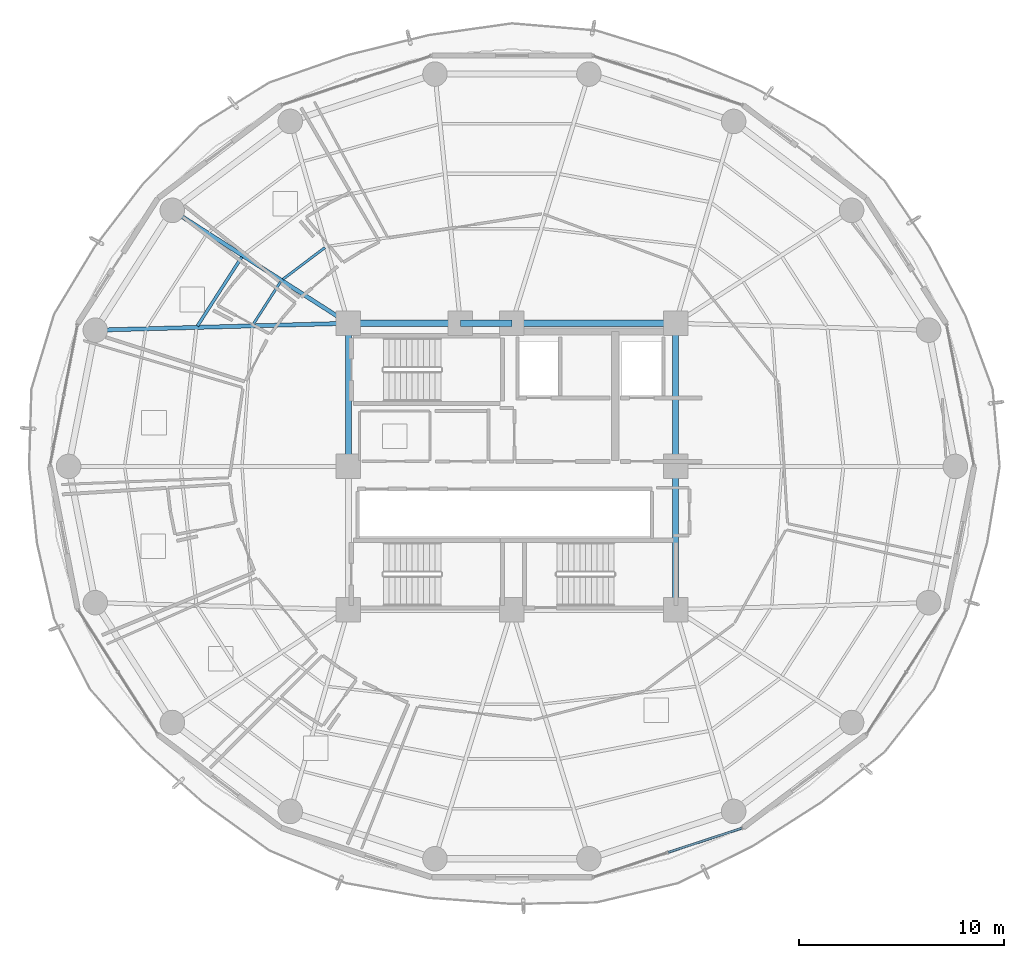
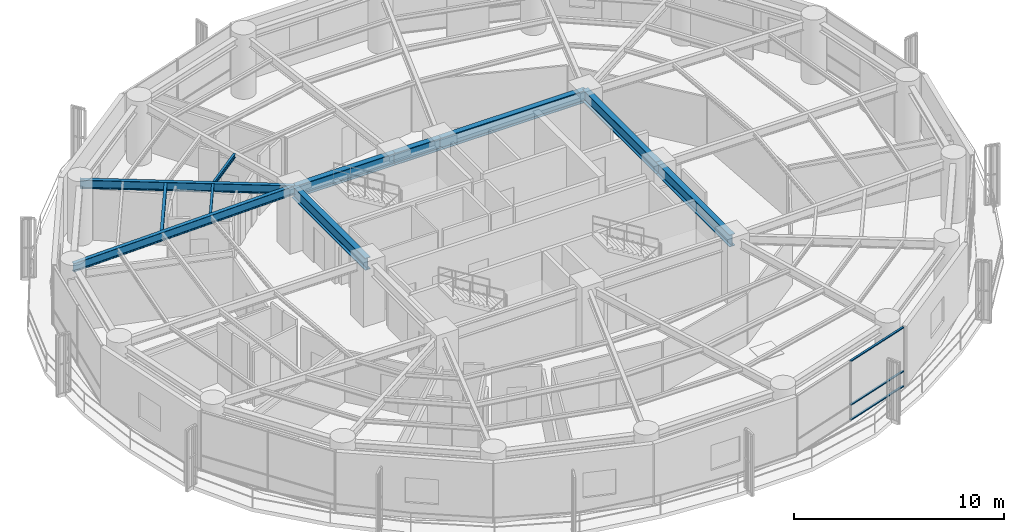
# One storey, part 9 of 27: 11 beams, 3 members, 1 element without a shape of its own.
"""IFC4 building model written with IfcOpenShell, lengths in metres."""

from ifc_helpers import new_model, si_unit, direction, frame, origin, origin_2d, place, context, subcontext, project, spatial, hollow_rectangle, i_section, extrude, material, layer, layer_set, material_profile, profile_set, type_object, element, aggregate, save


model = new_model("IFC4")

# Units and contexts
model_context = context("Model", 3, precision=1e-05, world=origin(), true_north=direction((0.0, 1.0)))
body_context = subcontext(model_context, "Body", "Model", "MODEL_VIEW")
ifc_project = project(units=[si_unit("LENGTHUNIT", "METRE"), si_unit("AREAUNIT", "SQUARE_METRE"), si_unit("VOLUMEUNIT", "CUBIC_METRE"), si_unit("PLANEANGLEUNIT", "RADIAN"), si_unit("MASSUNIT", "GRAM", prefix="KILO")], contexts=[model_context])

# Site, building, storey
site_placement = place(None, origin())
site = spatial("IfcSite", under=ifc_project, at=site_placement, CompositionType="ELEMENT")
building_placement = place(site_placement, origin())
building = spatial("IfcBuilding", under=site, at=building_placement, Name="Kelanora Arch Commons", CompositionType="ELEMENT")
storey_placement = place(building_placement, frame((0.0, 0.0, 150.60009765625)))
storey = spatial("IfcBuildingStorey", under=building, at=storey_placement, Name="L38", CompositionType="ELEMENT", Elevation=150.60009765625)

# Beams
ifc_material_1 = material(Name="Steel S355", Category="steel")
ifc_material_profile_1 = material_profile(ifc_material_1, i_section(OverallWidth=0.300048828125, OverallDepth=0.699951171875, WebThickness=0.01708984375, FlangeThickness=0.031982421875, FilletRadius=0.027099609375, at=origin_2d()), Name="HEB700")
ifc_profile_set_1 = profile_set([ifc_material_profile_1], Name="Steel S355")
beam_type_1 = type_object("IfcBeamType", Name="BM-CORE-HDR", PredefinedType="BEAM", material=ifc_profile_set_1)
for number, where, z_axis, x_axis, name in (
    (1, (82.0, 51.0, 3.139892578125), (0.0, 1.0, 0.0), (-1.0, 0.0, 0.0), "Core Header Beam 03 L38"),
    (2, (82.0, 58.0, 3.139892578125), (0.0, 1.0, 0.0), (-1.0, 0.0, 0.0), "Core Header Beam 04 L38"),
):
    element("IfcBeam", number, at=place(storey_placement, frame(where, z_axis=z_axis, x_axis=x_axis)), inside=storey, type_object=beam_type_1, Name=name, PredefinedType="BEAM", context=body_context, shape_type="SweptSolid", body=[
        extrude(i_section(OverallWidth=0.300048828125, OverallDepth=0.699951171875, WebThickness=0.01708984375, FlangeThickness=0.031982421875, FilletRadius=0.027099609375, at=origin_2d()), origin(), (0.0, 0.0, 1.0), 7.0),
    ])
beam_1_placement = place(storey_placement, frame((82.0, 65.0, 3.139892578125), z_axis=(-1.0, 0.0, 0.0), x_axis=(0.0, -1.0, 0.0)))
element("IfcBeam", 3, at=beam_1_placement, inside=storey, type_object=beam_type_1, Name="Core Header Beam 05 L38", PredefinedType="BEAM", context=body_context, shape_type="SweptSolid", body=[
    extrude(i_section(OverallWidth=0.300048828125, OverallDepth=0.699951171875, WebThickness=0.01708984375, FlangeThickness=0.031982421875, FilletRadius=0.027099609375, at=origin_2d()), origin(), (0.0, 0.0, 1.0), 8.0),
])
beam_2_placement = place(storey_placement, frame((74.0, 65.0, 3.139892578125), z_axis=(-1.0, 0.0, 0.0), x_axis=(0.0, -1.0, 0.0)))
element("IfcBeam", 4, at=beam_2_placement, inside=storey, type_object=beam_type_1, Name="Core Header Beam 06 L38", PredefinedType="BEAM", context=body_context, shape_type="SweptSolid", body=[
    extrude(i_section(OverallWidth=0.300048828125, OverallDepth=0.699951171875, WebThickness=0.01708984375, FlangeThickness=0.031982421875, FilletRadius=0.027099609375, at=origin_2d()), origin(), (0.0, 0.0, 1.0), 2.52001953125),
])
beam_3_placement = place(storey_placement, frame((71.47998046875, 65.0, 3.139892578125), z_axis=(-1.0, 0.0, 0.0), x_axis=(0.0, -1.0, 0.0)))
element("IfcBeam", 5, at=beam_3_placement, inside=storey, type_object=beam_type_1, Name="Core Header Beam 07 L38", PredefinedType="BEAM", context=body_context, shape_type="SweptSolid", body=[
    extrude(i_section(OverallWidth=0.300048828125, OverallDepth=0.699951171875, WebThickness=0.01708984375, FlangeThickness=0.031982421875, FilletRadius=0.027099609375, at=origin_2d()), origin(), (0.0, 0.0, 1.0), 5.47998046875),
])
beam_4_placement = place(storey_placement, frame((66.0, 65.0, 3.139892578125), z_axis=(0.0, -1.0, 0.0), x_axis=(1.0, 0.0, 0.0)))
element("IfcBeam", 6, at=beam_4_placement, inside=storey, type_object=beam_type_1, Name="Core Header Beam 08 L38", PredefinedType="BEAM", context=body_context, shape_type="SweptSolid", body=[
    extrude(i_section(OverallWidth=0.300048828125, OverallDepth=0.699951171875, WebThickness=0.01708984375, FlangeThickness=0.031982421875, FilletRadius=0.027099609375, at=origin_2d()), origin(), (0.0, 0.0, 1.0), 7.0),
])
ifc_material_profile_2 = material_profile(ifc_material_1, i_section(OverallWidth=0.14990234375, OverallDepth=0.300048828125, WebThickness=0.007080078125, FlangeThickness=0.0107421875, FilletRadius=0.014892578125, at=origin_2d()), Name="IPE300")
ifc_profile_set_2 = profile_set([ifc_material_profile_2], Name="Steel S355")
beam_type_2 = type_object("IfcBeamType", Name="BM-JST-01", PredefinedType="JOIST", material=ifc_profile_set_2)
beam_5_placement = place(storey_placement, frame((60.789306640625, 68.241455078125, 3.33984375), z_axis=(-0.540594434398, -0.841283339606, 0.0), x_axis=(0.841283339606, -0.540594434398, 0.0)))
element("IfcBeam", 7, at=beam_5_placement, inside=storey, type_object=beam_type_2, Name="Secondary Chord Joist BJB-14 L38", PredefinedType="JOIST", context=body_context, shape_type="SweptSolid", body=[
    extrude(i_section(OverallWidth=0.14990234375, OverallDepth=0.300048828125, WebThickness=0.007080078125, FlangeThickness=0.0107421875, FilletRadius=0.014892578125, at=origin_2d()), origin(), (0.0, 0.0, 1.0), 4.008544921875),
])
ifc_material_profile_3 = material_profile(ifc_material_1, i_section(OverallWidth=0.1201171875, OverallDepth=0.239990234375, WebThickness=0.006103515625, FlangeThickness=0.009765625, FilletRadius=0.014892578125, at=origin_2d()), Name="IPE240")
ifc_profile_set_3 = profile_set([ifc_material_profile_3], Name="Steel S355")
beam_type_3 = type_object("IfcBeamType", Name="BM-JST-02", PredefinedType="JOIST", material=ifc_profile_set_3)
beam_6_placement = place(storey_placement, frame((64.852783203125, 68.699462890625, 3.369873046875), z_axis=(-0.798484118859, -0.602015873487, 0.0), x_axis=(0.602015873487, -0.798484118859, 0.0)))
element("IfcBeam", 8, at=beam_6_placement, inside=storey, type_object=beam_type_3, Name="Secondary Chord Joist BJA-12 L38", PredefinedType="JOIST", context=body_context, shape_type="SweptSolid", body=[
    extrude(i_section(OverallWidth=0.1201171875, OverallDepth=0.239990234375, WebThickness=0.006103515625, FlangeThickness=0.009765625, FilletRadius=0.014892578125, at=origin_2d()), origin(), (0.0, 0.0, 1.0), 2.57470703125),
])
beam_7_placement = place(storey_placement, frame((62.68310546875, 67.026611328125, 3.369873046875), z_axis=(-0.540583174025, -0.841290575224, 0.0), x_axis=(0.841290575224, -0.540583174025, 0.0)))
element("IfcBeam", 9, at=beam_7_placement, inside=storey, type_object=beam_type_3, Name="Secondary Chord Joist BJA-14 L38", PredefinedType="JOIST", context=body_context, shape_type="SweptSolid", body=[
    extrude(i_section(OverallWidth=0.1201171875, OverallDepth=0.239990234375, WebThickness=0.006103515625, FlangeThickness=0.009765625, FilletRadius=0.014892578125, at=origin_2d()), origin(), (0.0, 0.0, 1.0), 2.476318359375),
])
ifc_material_profile_4 = material_profile(ifc_material_1, i_section(OverallWidth=0.199951171875, OverallDepth=0.5, WebThickness=0.01025390625, FlangeThickness=0.01611328125, FilletRadius=0.02099609375, at=origin_2d()), Name="IPE500")
ifc_profile_set_4 = profile_set([ifc_material_profile_4], Name="Steel S355")
beam_type_4 = type_object("IfcBeamType", Name="BM-RAD-Z3", PredefinedType="BEAM", material=ifc_profile_set_4)
beam_8_placement = place(storey_placement, frame((66.0, 65.0, 3.239990234375), z_axis=(-0.841719465748, 0.539915123868, 0.0), x_axis=(-0.539915123868, -0.841719465748, 0.0)))
element("IfcBeam", 10, at=beam_8_placement, inside=storey, type_object=beam_type_4, Name="Radial Floor Girder BR-14 L38", PredefinedType="BEAM", context=body_context, shape_type="SweptSolid", body=[
    extrude(i_section(OverallWidth=0.199951171875, OverallDepth=0.5, WebThickness=0.01025390625, FlangeThickness=0.01611328125, FilletRadius=0.02099609375, at=origin_2d()), origin(), (0.0, 0.0, 1.0), 10.2265625),
])
beam_9_placement = place(storey_placement, frame((66.0, 65.0, 3.239990234375), z_axis=(-0.999628374924, -0.027260081577, 0.0), x_axis=(0.027260081577, -0.999628374924, 0.0)))
element("IfcBeam", 11, at=beam_9_placement, inside=storey, type_object=beam_type_4, Name="Radial Floor Girder BR-16 L38", PredefinedType="BEAM", context=body_context, shape_type="SweptSolid", body=[
    extrude(i_section(OverallWidth=0.199951171875, OverallDepth=0.5, WebThickness=0.01025390625, FlangeThickness=0.01611328125, FilletRadius=0.02099609375, at=origin_2d()), origin(), (0.0, 0.0, 1.0), 12.377197265625),
])

# Curtain wall, members
ifc_material_2 = material(Name="Terracotta ceramic-fritted low-E glass and aluminium", Category="masonry")
ifc_layer = layer(ifc_material_2, 0.175048828125)
ifc_layer_set = layer_set([ifc_layer], Name="Terracotta ceramic-fritted low-E glass and aluminium")
curtain_wall_type = type_object("IfcCurtainWallType", Name="CW-SYS-02", PredefinedType="NOTDEFINED", material=ifc_layer_set)
curtain_wall_placement = place(storey_placement, origin())
curtain_wall = element("IfcCurtainWall", 12, at=curtain_wall_placement, inside=storey, type_object=curtain_wall_type, Name="Unitised Curtain Wall L38-B14", PredefinedType="NOTDEFINED")
ifc_material_3 = material(Name="Powder-coated aluminium terracotta", Category="masonry")
ifc_material_profile_5 = material_profile(ifc_material_3, hollow_rectangle(XDim=0.1201171875, YDim=0.06005859375, WallThickness=0.0048828125, InnerFilletRadius=0.0048828125, OuterFilletRadius=0.010009765625, at=origin_2d()), Name="CWT120x60")
ifc_profile_set_5 = profile_set([ifc_material_profile_5], Name="Powder-coated aluminium terracotta")
member_type = type_object("IfcMemberType", Name="CWT-STD", PredefinedType="USERDEFINED", material=ifc_profile_set_5)
member_1_placement = place(storey_placement, frame((81.640625, 39.130859375, 0.02978515625), z_axis=(0.950051191155, 0.312094111104, 0.0), x_axis=(-0.312094111104, 0.950051191155, 0.0)))
member_1 = element("IfcMember", 13, at=member_1_placement, type_object=member_type, Name="CW-02 transom 2.1", ObjectType="TRANSOM", PredefinedType="USERDEFINED", context=body_context, shape_type="SweptSolid", body=[
    extrude(hollow_rectangle(XDim=0.1201171875, YDim=0.06005859375, WallThickness=0.0048828125, InnerFilletRadius=0.0048828125, OuterFilletRadius=0.010009765625, at=origin_2d()), origin(), (0.0, 0.0, 1.0), 3.77685546875),
])
member_2_placement = place(storey_placement, frame((81.640625, 39.130859375, 0.89990234375), z_axis=(0.950051191155, 0.312094111104, 0.0), x_axis=(-0.312094111104, 0.950051191155, 0.0)))
member_2 = element("IfcMember", 14, at=member_2_placement, type_object=member_type, Name="CW-02 transom 2.2", ObjectType="TRANSOM", PredefinedType="USERDEFINED", context=body_context, shape_type="SweptSolid", body=[
    extrude(hollow_rectangle(XDim=0.1201171875, YDim=0.06005859375, WallThickness=0.0048828125, InnerFilletRadius=0.0048828125, OuterFilletRadius=0.010009765625, at=origin_2d()), origin(), (0.0, 0.0, 1.0), 3.77685546875),
])
member_3_placement = place(storey_placement, frame((81.640625, 39.130859375, 3.44482421875), z_axis=(0.950051191155, 0.312094111104, 0.0), x_axis=(-0.312094111104, 0.950051191155, 0.0)))
member_3 = element("IfcMember", 15, at=member_3_placement, type_object=member_type, Name="CW-02 transom 2.3", ObjectType="TRANSOM", PredefinedType="USERDEFINED", context=body_context, shape_type="SweptSolid", body=[
    extrude(hollow_rectangle(XDim=0.1201171875, YDim=0.06005859375, WallThickness=0.0048828125, InnerFilletRadius=0.0048828125, OuterFilletRadius=0.010009765625, at=origin_2d()), origin(), (0.0, 0.0, 1.0), 3.77685546875),
])
aggregate(curtain_wall, [member_1, member_2, member_3])

save(model, "model.ifc")
